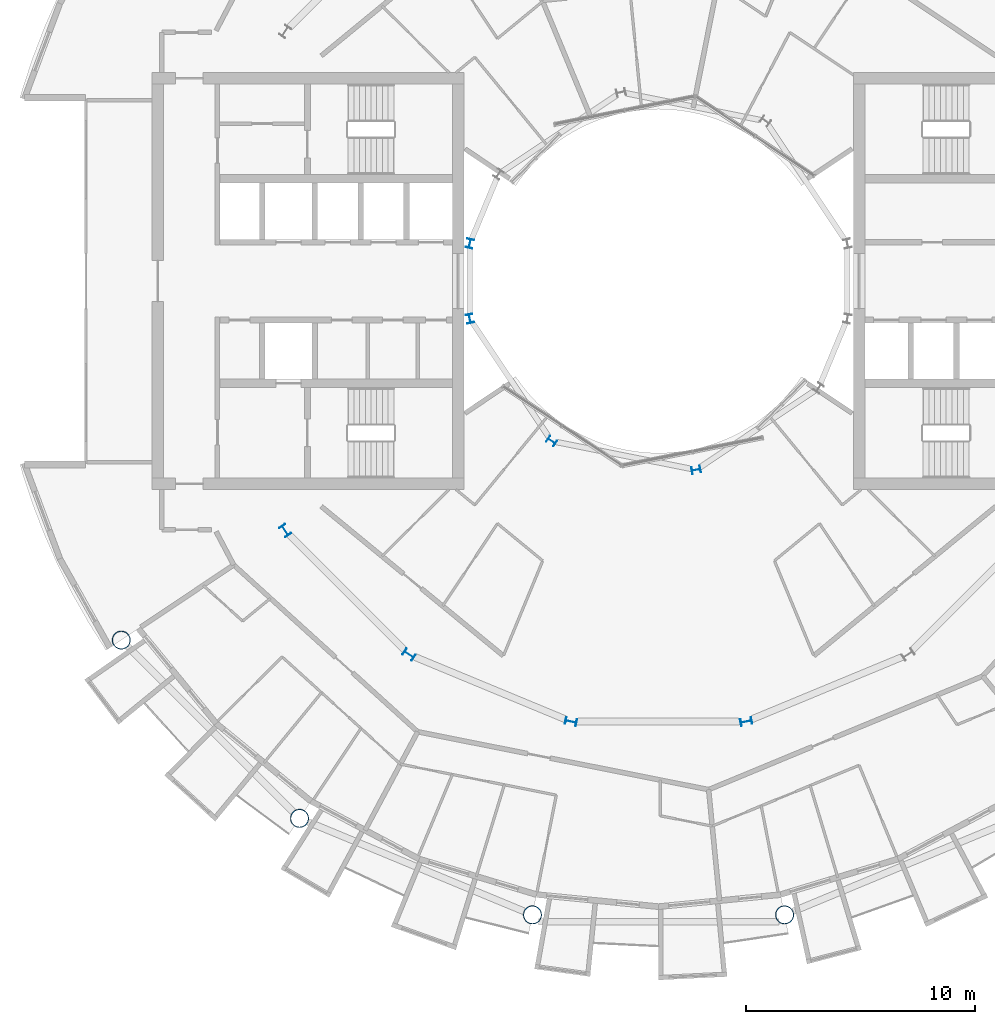
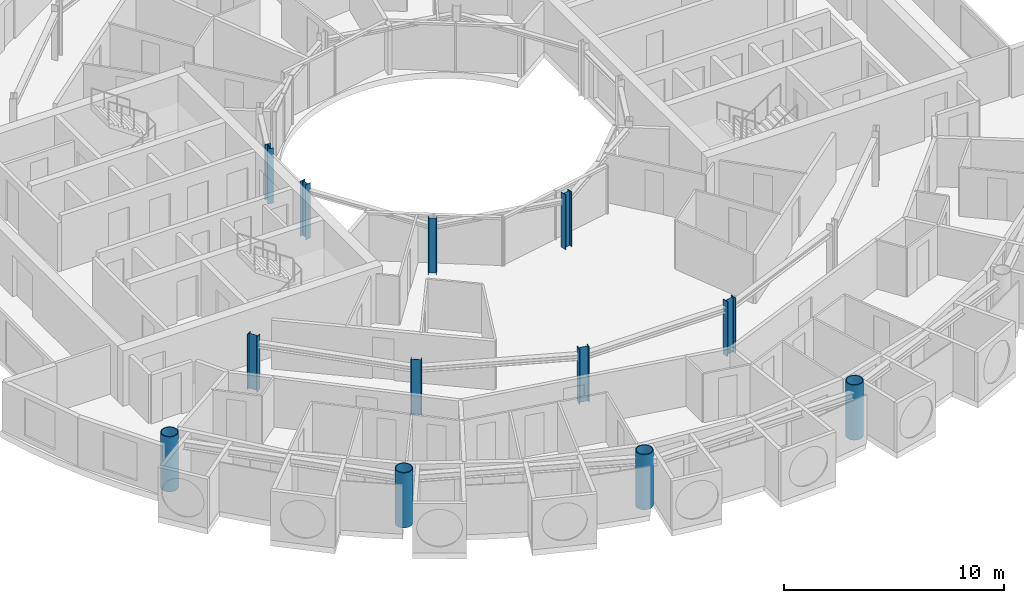
# One storey, part 1 of 27: 12 columns.
"""IFC4 building model written with IfcOpenShell, lengths in metres."""

from ifc_helpers import new_model, si_unit, direction, frame, origin, origin_2d, place, context, subcontext, project, spatial, hollow_circle, i_section, extrude, material, material_profile, profile_set, type_object, element, save


model = new_model("IFC4")

# Units and contexts
model_context = context("Model", 3, precision=1e-05, world=origin(), true_north=direction((0.0, 1.0)))
body_context = subcontext(model_context, "Body", "Model", "MODEL_VIEW")
ifc_project = project(units=[si_unit("LENGTHUNIT", "METRE"), si_unit("AREAUNIT", "SQUARE_METRE"), si_unit("VOLUMEUNIT", "CUBIC_METRE"), si_unit("PLANEANGLEUNIT", "RADIAN"), si_unit("MASSUNIT", "GRAM", prefix="KILO")], contexts=[model_context])

# Site, building, storey
site_placement = place(None, origin())
site = spatial("IfcSite", under=ifc_project, at=site_placement, CompositionType="ELEMENT")
building_placement = place(site_placement, origin())
building = spatial("IfcBuilding", under=site, at=building_placement, Name="Maasbend Ring Residences", CompositionType="ELEMENT")
storey_placement = place(building_placement, frame((0.0, 0.0, 145.199951171875)))
storey = spatial("IfcBuildingStorey", under=building, at=storey_placement, Name="L41", CompositionType="ELEMENT", Elevation=145.199951171875)

# Columns
ifc_material_1 = material(Name="Composite concrete-filled steel tube S460NH / C80/95", Category="concrete")
ifc_material_profile_1 = material_profile(ifc_material_1, hollow_circle(Radius=0.406494140625, WallThickness=0.0400390625, at=origin_2d()), Name="Composite tube column CHS 813x40")
ifc_profile_set_1 = profile_set([ifc_material_profile_1], Name="Composite concrete-filled steel tube S460NH / C80/95")
column_type_1 = type_object("IfcColumnType", Name="Composite tube column CHS 813x40", PredefinedType="COLUMN", material=ifc_profile_set_1)
for number, where, z_axis, x_axis, name in (
    (1, (-23.447509765625, -15.6669921875, 0.0), (0.0, 0.0, 1.0), (1.0, 0.0, 0.0), "Outer column R10"),
    (2, (-15.6669921875, -23.447509765625, 0.0), (0.0, 0.0, 1.0), (1.0, 0.0, 0.0), "Outer column R11"),
    (3, (-5.50146484375, -27.658203125, 0.0), (0.0, 0.0, 1.0), (1.0, 0.0, 0.0), "Outer column R12"),
    (4, (5.50146484375, -27.658203125, 0.0), (0.0, 0.0, 1.0), (1.0, 0.0, 0.0), "Outer column R13"),
):
    element("IfcColumn", number, at=place(storey_placement, frame(where, z_axis=z_axis, x_axis=x_axis)), inside=storey, type_object=column_type_1, Name=name, PredefinedType="COLUMN", context=body_context, shape_type="SweptSolid", body=[
        extrude(hollow_circle(Radius=0.406494140625, WallThickness=0.0400390625, at=origin_2d()), origin(), (0.0, 0.0, 1.0), 3.050048828125),
    ])
ifc_material_2 = material(Name="Steel S355J2", Category="steel")
ifc_material_profile_2 = material_profile(ifc_material_2, i_section(OverallWidth=0.300048828125, OverallDepth=0.389892578125, WebThickness=0.010986328125, FlangeThickness=0.01904296875, FilletRadius=0.027099609375, at=origin_2d()), Name="HEA 400")
ifc_profile_set_2 = profile_set([ifc_material_profile_2], Name="Steel S355J2")
column_type_2 = type_object("IfcColumnType", Name="Steel column HEA 400", PredefinedType="COLUMN", material=ifc_profile_set_2)
for number, where, z_axis, x_axis, name in (
    (5, (-8.238525390625, 1.638916015625, 0.0), (0.0, 0.0, 1.0), (-0.980785280403, 0.195090322016, 0.0), "Well ring column R8"),
    (6, (-8.238525390625, -1.638916015625, 0.0), (0.0, 0.0, 1.0), (-0.980785280403, -0.195090322016, 0.0), "Well ring column R9"),
    (7, (-4.666748046875, -6.984375, 0.0), (0.0, 0.0, 1.0), (-0.55557023302, -0.831469612303, 0.0), "Well ring column R11"),
    (8, (1.638916015625, -8.238525390625, 0.0), (0.0, 0.0, 1.0), (0.195090322016, -0.980785280403, 0.0), "Well ring column R13"),
):
    element("IfcColumn", number, at=place(storey_placement, frame(where, z_axis=z_axis, x_axis=x_axis)), inside=storey, type_object=column_type_2, Name=name, PredefinedType="COLUMN", context=body_context, shape_type="SweptSolid", body=[
        extrude(i_section(OverallWidth=0.300048828125, OverallDepth=0.389892578125, WebThickness=0.010986328125, FlangeThickness=0.01904296875, FilletRadius=0.027099609375, at=origin_2d()), origin(), (0.0, 0.0, 1.0), 3.050048828125),
    ])
ifc_material_3 = material(Name="Steel S355J2", Category="steel")
ifc_material_profile_3 = material_profile(ifc_material_3, i_section(OverallWidth=0.300048828125, OverallDepth=0.5, WebThickness=0.014404296875, FlangeThickness=0.028076171875, FilletRadius=0.027099609375, at=origin_2d()), Name="HEB 500")
ifc_profile_set_3 = profile_set([ifc_material_profile_3], Name="Steel S355J2")
column_type_3 = type_object("IfcColumnType", Name="Steel column HEB 500", PredefinedType="COLUMN", material=ifc_profile_set_3)
for number, where, z_axis, x_axis, name in (
    (9, (-16.296875, -10.88916015625, 0.0), (0.0, 0.0, 1.0), (-0.831469612303, -0.55557023302, 0.0), "Corridor ring column R10"),
    (10, (-10.88916015625, -16.296875, 0.0), (0.0, 0.0, 1.0), (-0.55557023302, -0.831469612303, 0.0), "Corridor ring column R11"),
    (11, (-3.82373046875, -19.223388671875, 0.0), (0.0, 0.0, 1.0), (-0.195090322016, -0.980785280403, 0.0), "Corridor ring column R12"),
    (12, (3.82373046875, -19.223388671875, 0.0), (0.0, 0.0, 1.0), (0.195090322016, -0.980785280403, 0.0), "Corridor ring column R13"),
):
    element("IfcColumn", number, at=place(storey_placement, frame(where, z_axis=z_axis, x_axis=x_axis)), inside=storey, type_object=column_type_3, Name=name, PredefinedType="COLUMN", context=body_context, shape_type="SweptSolid", body=[
        extrude(i_section(OverallWidth=0.300048828125, OverallDepth=0.5, WebThickness=0.014404296875, FlangeThickness=0.028076171875, FilletRadius=0.027099609375, at=origin_2d()), origin(), (0.0, 0.0, 1.0), 3.050048828125),
    ])

save(model, "model.ifc")
